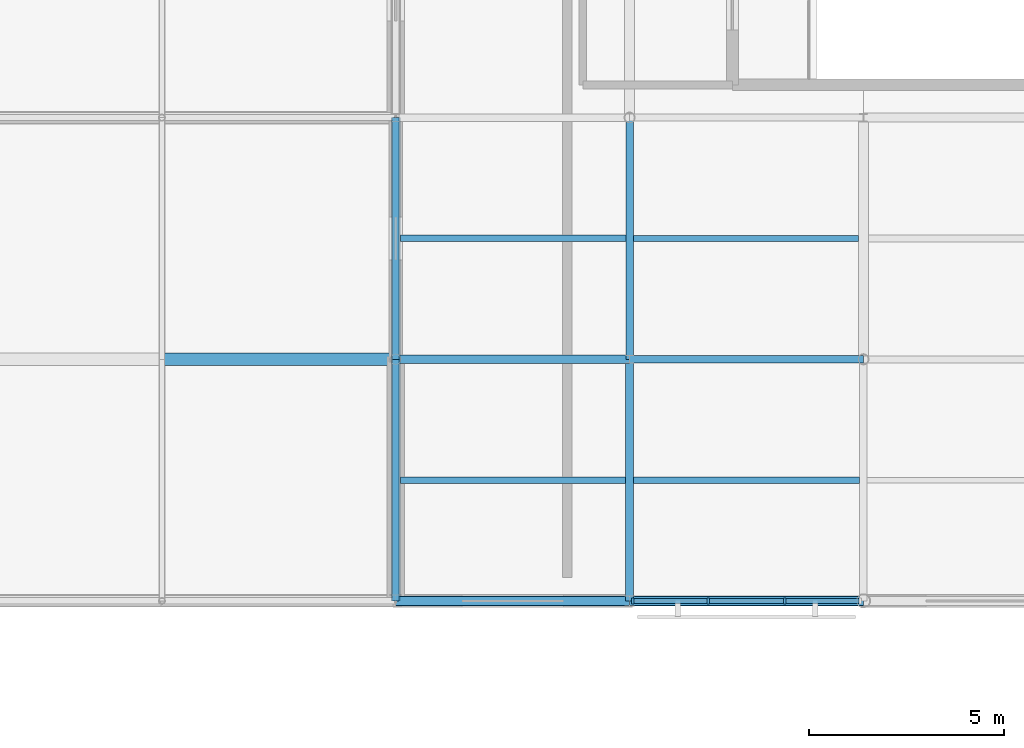
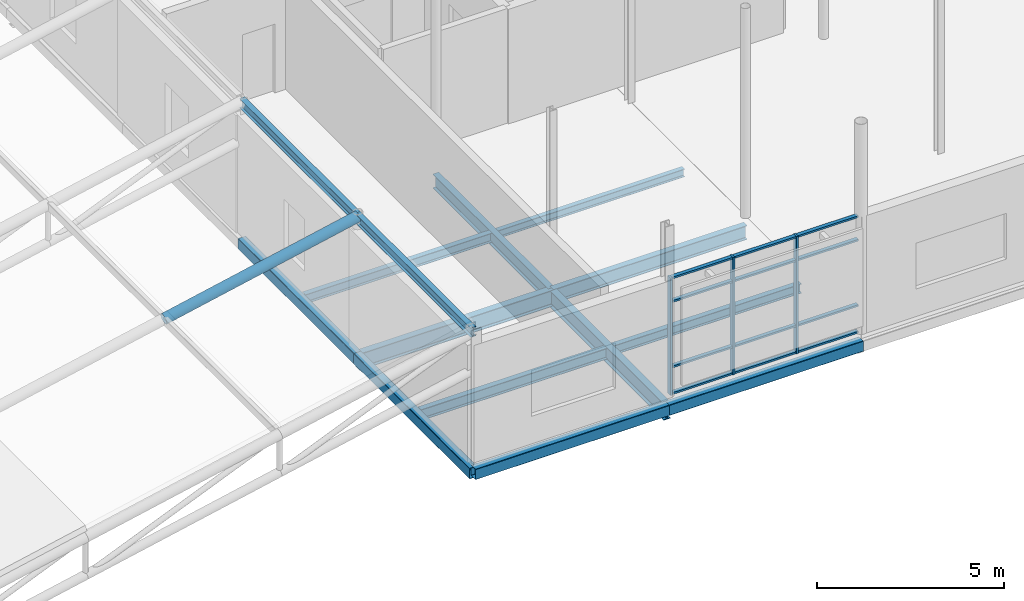
# One storey, part 18 of 66: 18 members, 12 beams, 1 element without a shape of its own.
"""IFC4 building model written with IfcOpenShell, lengths in metres."""

from ifc_helpers import new_model, si_unit, direction, frame, origin, origin_2d, place, context, subcontext, project, spatial, rectangle, hollow_rectangle, hollow_circle, i_section, extrude, material, layer, layer_set, material_profile, profile_set, type_object, element, aggregate, save


model = new_model("IFC4")

# Units and contexts
model_context = context("Model", 3, precision=1e-05, world=origin(), true_north=direction((0.0, 1.0)))
body_context = subcontext(model_context, "Body", "Model", "MODEL_VIEW")
ifc_project = project(units=[si_unit("LENGTHUNIT", "METRE"), si_unit("AREAUNIT", "SQUARE_METRE"), si_unit("VOLUMEUNIT", "CUBIC_METRE"), si_unit("PLANEANGLEUNIT", "RADIAN"), si_unit("MASSUNIT", "GRAM", prefix="KILO")], contexts=[model_context])

# Site, building, storey
site_placement = place(None, origin())
site = spatial("IfcSite", under=ifc_project, at=site_placement, CompositionType="ELEMENT")
building_placement = place(site_placement, origin())
building = spatial("IfcBuilding", under=site, at=building_placement, Name="Mirzam Square Science Centre", CompositionType="ELEMENT")
storey_placement = place(building_placement, frame((0.0, 0.0, 15.60009765625)))
storey = spatial("IfcBuildingStorey", under=building, at=storey_placement, Name="L03", CompositionType="ELEMENT", Elevation=15.60009765625)

# Beams
ifc_material_1 = material(Name="Steel S355", Category="steel")
ifc_material_profile_1 = material_profile(ifc_material_1, i_section(OverallWidth=0.19140625, OverallDepth=0.4599609375, WebThickness=0.010009765625, FlangeThickness=0.01611328125, FilletRadius=0.01025390625, at=origin_2d()), Name="457x191x82UB")
ifc_profile_set_1 = profile_set([ifc_material_profile_1], Name="Steel S355")
beam_type_1 = type_object("IfcBeamType", Name="BM-UB457", PredefinedType="BEAM", material=ifc_profile_set_1)
beam_1_placement = place(storey_placement, frame((42.0, 43.39990234375, -0.489990234375), z_axis=(1.0, 0.0, 0.0), x_axis=(0.0, 1.0, 0.0)))
element("IfcBeam", 1, at=beam_1_placement, inside=storey, type_object=beam_type_1, Name="L03 girder X8-8", PredefinedType="BEAM", context=body_context, shape_type="SweptSolid", body=[
    extrude(i_section(OverallWidth=0.19140625, OverallDepth=0.4599609375, WebThickness=0.010009765625, FlangeThickness=0.01611328125, FilletRadius=0.01025390625, at=origin_2d()), origin(), (0.0, 0.0, 1.0), 6.0),
])
beam_2_placement = place(storey_placement, frame((42.0, 43.39990234375, -0.489990234375), z_axis=(0.0, 1.0, 0.0), x_axis=(-1.0, 0.0, 0.0)))
element("IfcBeam", 2, at=beam_2_placement, inside=storey, type_object=beam_type_1, Name="L03 girder Y8-8", PredefinedType="BEAM", context=body_context, shape_type="SweptSolid", body=[
    extrude(i_section(OverallWidth=0.19140625, OverallDepth=0.4599609375, WebThickness=0.010009765625, FlangeThickness=0.01611328125, FilletRadius=0.01025390625, at=origin_2d()), origin(), (0.0, 0.0, 1.0), 6.2001953125),
])
ifc_material_profile_2 = material_profile(ifc_material_1, i_section(OverallWidth=0.2099609375, OverallDepth=0.53662109375, WebThickness=0.0107421875, FlangeThickness=0.017333984375, FilletRadius=0.0126953125, at=origin_2d()), Name="533x210x101UB")
ifc_profile_set_2 = profile_set([ifc_material_profile_2], Name="Steel S355")
beam_type_2 = type_object("IfcBeamType", Name="BM-UB533", PredefinedType="BEAM", material=ifc_profile_set_2)
beam_3_placement = place(storey_placement, frame((36.0, 43.39990234375, -0.528564453125), z_axis=(1.0, 0.0, 0.0), x_axis=(0.0, 1.0, 0.0)))
element("IfcBeam", 3, at=beam_3_placement, inside=storey, type_object=beam_type_2, Name="L03 girder X7-8", PredefinedType="BEAM", context=body_context, shape_type="SweptSolid", body=[
    extrude(i_section(OverallWidth=0.2099609375, OverallDepth=0.53662109375, WebThickness=0.0107421875, FlangeThickness=0.017333984375, FilletRadius=0.0126953125, at=origin_2d()), origin(), (0.0, 0.0, 1.0), 6.0),
])
beam_4_placement = place(storey_placement, frame((42.0, 37.199951171875, -0.528564453125), z_axis=(0.0, 1.0, 0.0), x_axis=(-1.0, 0.0, 0.0)))
element("IfcBeam", 4, at=beam_4_placement, inside=storey, type_object=beam_type_2, Name="L03 girder Y8-7", PredefinedType="BEAM", context=body_context, shape_type="SweptSolid", body=[
    extrude(i_section(OverallWidth=0.2099609375, OverallDepth=0.53662109375, WebThickness=0.0107421875, FlangeThickness=0.017333984375, FilletRadius=0.0126953125, at=origin_2d()), origin(), (0.0, 0.0, 1.0), 6.199951171875),
])

# Member
ifc_material_profile_3 = material_profile(ifc_material_1, hollow_circle(Radius=0.161865234375, WallThickness=0.012451171875, at=origin_2d()), Name="323.9x12.5CHS")
ifc_profile_set_3 = profile_set([ifc_material_profile_3], Name="Steel S355")
member_type_1 = type_object("IfcMemberType", Name="CH-CHS324", PredefinedType="CHORD", material=ifc_profile_set_3)
member_1_placement = place(storey_placement, frame((30.0, 43.39990234375, 2.92431640625), z_axis=(0.978653176229, 0.0, 0.205518759868), x_axis=(0.0, 1.0, 0.0)))
element("IfcMember", 5, at=member_1_placement, inside=storey, type_object=member_type_1, Name="Wedge truss top chord Y8 bay 6", PredefinedType="CHORD", context=body_context, shape_type="SweptSolid", body=[
    extrude(hollow_circle(Radius=0.161865234375, WallThickness=0.012451171875, at=origin_2d()), origin(), (0.0, 0.0, 1.0), 6.130859375),
])

# Curtain wall, members
ifc_material_2 = material(Name="Anodised Aluminium and Low-E Solar Glass", Category="aluminium")
ifc_layer = layer(ifc_material_2, 0.199951171875)
ifc_layer_set = layer_set([ifc_layer], Name="CW-PARK-B")
curtain_wall_type = type_object("IfcCurtainWallType", Name="CW-PARK-B", PredefinedType="USERDEFINED", material=ifc_layer_set)
curtain_wall_placement = place(storey_placement, origin())
curtain_wall = element("IfcCurtainWall", 6, at=curtain_wall_placement, inside=storey, type_object=curtain_wall_type, Name="L03 unitised curtain wall 34", ObjectType="UNITISED CURTAIN WALL", PredefinedType="USERDEFINED")
ifc_material_3 = material(Name="Anodised Architectural Aluminium 6063-T6", Category="aluminium")
ifc_material_profile_4 = material_profile(ifc_material_3, rectangle(XDim=0.06005859375, YDim=0.159912109375, at=origin_2d()), Name="ALU-MULL-160x60x4")
ifc_profile_set_4 = profile_set([ifc_material_profile_4], Name="Anodised Architectural Aluminium 6063-T6")
member_type_2 = type_object("IfcMemberType", Name="CWM-160", PredefinedType="MULLION", material=ifc_profile_set_4)
member_2_placement = place(storey_placement, frame((42.0849609375, 37.199951171875, 0.0), z_axis=(0.0, 0.0, 1.0), x_axis=(1.0, 0.0, 0.0)))
member_2 = element("IfcMember", 7, at=member_2_placement, type_object=member_type_2, Name="CW-02 mullion 1", PredefinedType="MULLION", context=body_context, shape_type="SweptSolid", body=[
    extrude(rectangle(XDim=0.06005859375, YDim=0.159912109375, at=origin_2d()), origin(), (0.0, 0.0, 1.0), 3.83984375),
])
member_3_placement = place(storey_placement, frame((44.018310546875, 37.199951171875, 0.0), z_axis=(0.0, 0.0, 1.0), x_axis=(1.0, 0.0, 0.0)))
member_3 = element("IfcMember", 8, at=member_3_placement, type_object=member_type_2, Name="CW-02 mullion 2", PredefinedType="MULLION", context=body_context, shape_type="SweptSolid", body=[
    extrude(rectangle(XDim=0.06005859375, YDim=0.159912109375, at=origin_2d()), origin(), (0.0, 0.0, 1.0), 3.83984375),
])
member_4_placement = place(storey_placement, frame((45.981689453125, 37.199951171875, 0.0), z_axis=(0.0, 0.0, 1.0), x_axis=(1.0, 0.0, 0.0)))
member_4 = element("IfcMember", 9, at=member_4_placement, type_object=member_type_2, Name="CW-02 mullion 3", PredefinedType="MULLION", context=body_context, shape_type="SweptSolid", body=[
    extrude(rectangle(XDim=0.06005859375, YDim=0.159912109375, at=origin_2d()), origin(), (0.0, 0.0, 1.0), 3.83984375),
])
ifc_material_profile_5 = material_profile(ifc_material_3, rectangle(XDim=0.1201171875, YDim=0.06005859375, at=origin_2d()), Name="ALU-TRAN-120x60x4")
ifc_profile_set_5 = profile_set([ifc_material_profile_5], Name="Anodised Architectural Aluminium 6063-T6")
member_type_3 = type_object("IfcMemberType", Name="CWT-120", PredefinedType="USERDEFINED", material=ifc_profile_set_5)
member_5_placement = place(storey_placement, frame((42.114990234375, 37.199951171875, 0.02978515625), z_axis=(1.0, 0.0, 0.0), x_axis=(0.0, 1.0, 0.0)))
member_5 = element("IfcMember", 10, at=member_5_placement, type_object=member_type_3, Name="CW-02 transom 1.1", ObjectType="TRANSOM", PredefinedType="USERDEFINED", context=body_context, shape_type="SweptSolid", body=[
    extrude(rectangle(XDim=0.1201171875, YDim=0.06005859375, at=origin_2d()), origin(), (0.0, 0.0, 1.0), 1.873291015625),
])
member_6_placement = place(storey_placement, frame((42.114990234375, 37.199951171875, 0.89990234375), z_axis=(1.0, 0.0, 0.0), x_axis=(0.0, 1.0, 0.0)))
member_6 = element("IfcMember", 11, at=member_6_placement, type_object=member_type_3, Name="CW-02 transom 1.2", ObjectType="TRANSOM", PredefinedType="USERDEFINED", context=body_context, shape_type="SweptSolid", body=[
    extrude(rectangle(XDim=0.1201171875, YDim=0.06005859375, at=origin_2d()), origin(), (0.0, 0.0, 1.0), 1.873291015625),
])
member_7_placement = place(storey_placement, frame((42.114990234375, 37.199951171875, 3.039794921875), z_axis=(1.0, 0.0, 0.0), x_axis=(0.0, 1.0, 0.0)))
member_7 = element("IfcMember", 12, at=member_7_placement, type_object=member_type_3, Name="CW-02 transom 1.3", ObjectType="TRANSOM", PredefinedType="USERDEFINED", context=body_context, shape_type="SweptSolid", body=[
    extrude(rectangle(XDim=0.1201171875, YDim=0.06005859375, at=origin_2d()), origin(), (0.0, 0.0, 1.0), 1.873291015625),
])
member_8_placement = place(storey_placement, frame((42.114990234375, 37.199951171875, 3.809814453125), z_axis=(1.0, 0.0, 0.0), x_axis=(0.0, 1.0, 0.0)))
member_8 = element("IfcMember", 13, at=member_8_placement, type_object=member_type_3, Name="CW-02 transom 1.4", ObjectType="TRANSOM", PredefinedType="USERDEFINED", context=body_context, shape_type="SweptSolid", body=[
    extrude(rectangle(XDim=0.1201171875, YDim=0.06005859375, at=origin_2d()), origin(), (0.0, 0.0, 1.0), 1.873291015625),
])
member_9_placement = place(storey_placement, frame((44.04833984375, 37.199951171875, 0.02978515625), z_axis=(1.0, 0.0, 0.0), x_axis=(0.0, 1.0, 0.0)))
member_9 = element("IfcMember", 14, at=member_9_placement, type_object=member_type_3, Name="CW-02 transom 2.1", ObjectType="TRANSOM", PredefinedType="USERDEFINED", context=body_context, shape_type="SweptSolid", body=[
    extrude(rectangle(XDim=0.1201171875, YDim=0.06005859375, at=origin_2d()), origin(), (0.0, 0.0, 1.0), 1.9033203125),
])
member_10_placement = place(storey_placement, frame((44.04833984375, 37.199951171875, 0.89990234375), z_axis=(1.0, 0.0, 0.0), x_axis=(0.0, 1.0, 0.0)))
member_10 = element("IfcMember", 15, at=member_10_placement, type_object=member_type_3, Name="CW-02 transom 2.2", ObjectType="TRANSOM", PredefinedType="USERDEFINED", context=body_context, shape_type="SweptSolid", body=[
    extrude(rectangle(XDim=0.1201171875, YDim=0.06005859375, at=origin_2d()), origin(), (0.0, 0.0, 1.0), 1.9033203125),
])
member_11_placement = place(storey_placement, frame((44.04833984375, 37.199951171875, 3.039794921875), z_axis=(1.0, 0.0, 0.0), x_axis=(0.0, 1.0, 0.0)))
member_11 = element("IfcMember", 16, at=member_11_placement, type_object=member_type_3, Name="CW-02 transom 2.3", ObjectType="TRANSOM", PredefinedType="USERDEFINED", context=body_context, shape_type="SweptSolid", body=[
    extrude(rectangle(XDim=0.1201171875, YDim=0.06005859375, at=origin_2d()), origin(), (0.0, 0.0, 1.0), 1.9033203125),
])
member_12_placement = place(storey_placement, frame((44.04833984375, 37.199951171875, 3.809814453125), z_axis=(1.0, 0.0, 0.0), x_axis=(0.0, 1.0, 0.0)))
member_12 = element("IfcMember", 17, at=member_12_placement, type_object=member_type_3, Name="CW-02 transom 2.4", ObjectType="TRANSOM", PredefinedType="USERDEFINED", context=body_context, shape_type="SweptSolid", body=[
    extrude(rectangle(XDim=0.1201171875, YDim=0.06005859375, at=origin_2d()), origin(), (0.0, 0.0, 1.0), 1.9033203125),
])
member_13_placement = place(storey_placement, frame((46.01171875, 37.199951171875, 0.02978515625), z_axis=(1.0, 0.0, 0.0), x_axis=(0.0, 1.0, 0.0)))
member_13 = element("IfcMember", 18, at=member_13_placement, type_object=member_type_3, Name="CW-02 transom 3.1", ObjectType="TRANSOM", PredefinedType="USERDEFINED", context=body_context, shape_type="SweptSolid", body=[
    extrude(rectangle(XDim=0.1201171875, YDim=0.06005859375, at=origin_2d()), origin(), (0.0, 0.0, 1.0), 1.873291015625),
])
member_14_placement = place(storey_placement, frame((46.01171875, 37.199951171875, 0.89990234375), z_axis=(1.0, 0.0, 0.0), x_axis=(0.0, 1.0, 0.0)))
member_14 = element("IfcMember", 19, at=member_14_placement, type_object=member_type_3, Name="CW-02 transom 3.2", ObjectType="TRANSOM", PredefinedType="USERDEFINED", context=body_context, shape_type="SweptSolid", body=[
    extrude(rectangle(XDim=0.1201171875, YDim=0.06005859375, at=origin_2d()), origin(), (0.0, 0.0, 1.0), 1.873291015625),
])
member_15_placement = place(storey_placement, frame((46.01171875, 37.199951171875, 3.039794921875), z_axis=(1.0, 0.0, 0.0), x_axis=(0.0, 1.0, 0.0)))
member_15 = element("IfcMember", 20, at=member_15_placement, type_object=member_type_3, Name="CW-02 transom 3.3", ObjectType="TRANSOM", PredefinedType="USERDEFINED", context=body_context, shape_type="SweptSolid", body=[
    extrude(rectangle(XDim=0.1201171875, YDim=0.06005859375, at=origin_2d()), origin(), (0.0, 0.0, 1.0), 1.873291015625),
])
member_16_placement = place(storey_placement, frame((46.01171875, 37.199951171875, 3.809814453125), z_axis=(1.0, 0.0, 0.0), x_axis=(0.0, 1.0, 0.0)))
member_16 = element("IfcMember", 21, at=member_16_placement, type_object=member_type_3, Name="CW-02 transom 3.4", ObjectType="TRANSOM", PredefinedType="USERDEFINED", context=body_context, shape_type="SweptSolid", body=[
    extrude(rectangle(XDim=0.1201171875, YDim=0.06005859375, at=origin_2d()), origin(), (0.0, 0.0, 1.0), 1.873291015625),
])
aggregate(curtain_wall, [member_2, member_3, member_4, member_5, member_6, member_7, member_8, member_9, member_10, member_11, member_12, member_13, member_14, member_15, member_16])

# Beams
ifc_material_profile_6 = material_profile(ifc_material_1, i_section(OverallWidth=0.146484375, OverallDepth=0.256103515625, WebThickness=0.00634765625, FlangeThickness=0.010986328125, FilletRadius=0.007568359375, at=origin_2d()), Name="254x146x37UB")
ifc_profile_set_6 = profile_set([ifc_material_profile_6], Name="Steel S355")
beam_type_3 = type_object("IfcBeamType", Name="JS-UB254", PredefinedType="JOIST", material=ifc_profile_set_6)
beam_5_placement = place(storey_placement, frame((42.095703125, 46.5, -0.38818359375), z_axis=(1.0, 0.0, 0.0), x_axis=(0.0, 1.0, 0.0)))
element("IfcBeam", 22, at=beam_5_placement, inside=storey, type_object=beam_type_3, Name="L03 composite joist 8-8", PredefinedType="JOIST", context=body_context, shape_type="SweptSolid", body=[
    extrude(i_section(OverallWidth=0.146484375, OverallDepth=0.256103515625, WebThickness=0.00634765625, FlangeThickness=0.010986328125, FilletRadius=0.007568359375, at=origin_2d()), origin(), (0.0, 0.0, 1.0), 5.777099609375),
])
ifc_material_profile_7 = material_profile(ifc_material_1, i_section(OverallWidth=0.165771484375, OverallDepth=0.306640625, WebThickness=0.006591796875, FlangeThickness=0.01171875, FilletRadius=0.0087890625, at=origin_2d()), Name="305x165x46UB")
ifc_profile_set_7 = profile_set([ifc_material_profile_7], Name="Steel S355")
beam_type_4 = type_object("IfcBeamType", Name="JS-UB305", PredefinedType="JOIST", material=ifc_profile_set_7)
beam_6_placement = place(storey_placement, frame((36.125, 46.5, -0.413330078125), z_axis=(1.0, 0.0, 0.0), x_axis=(0.0, 1.0, 0.0)))
element("IfcBeam", 23, at=beam_6_placement, inside=storey, type_object=beam_type_4, Name="L03 composite joist 7-8", PredefinedType="JOIST", context=body_context, shape_type="SweptSolid", body=[
    extrude(i_section(OverallWidth=0.165771484375, OverallDepth=0.306640625, WebThickness=0.006591796875, FlangeThickness=0.01171875, FilletRadius=0.0087890625, at=origin_2d()), origin(), (0.0, 0.0, 1.0), 5.779296875),
])
beam_7_placement = place(storey_placement, frame((42.10498046875, 40.300048828125, -0.413330078125), z_axis=(1.0, 0.0, 0.0), x_axis=(0.0, 1.0, 0.0)))
element("IfcBeam", 24, at=beam_7_placement, inside=storey, type_object=beam_type_4, Name="L03 composite joist 8-7", PredefinedType="JOIST", context=body_context, shape_type="SweptSolid", body=[
    extrude(i_section(OverallWidth=0.165771484375, OverallDepth=0.306640625, WebThickness=0.006591796875, FlangeThickness=0.01171875, FilletRadius=0.0087890625, at=origin_2d()), origin(), (0.0, 0.0, 1.0), 5.79931640625),
])
ifc_material_profile_8 = material_profile(ifc_material_1, i_section(OverallWidth=0.172119140625, OverallDepth=0.35791015625, WebThickness=0.008056640625, FlangeThickness=0.012939453125, FilletRadius=0.01025390625, at=origin_2d()), Name="356x171x57UB")
ifc_profile_set_8 = profile_set([ifc_material_profile_8], Name="Steel S355")
beam_type_5 = type_object("IfcBeamType", Name="JS-UB356", PredefinedType="JOIST", material=ifc_profile_set_8)
beam_8_placement = place(storey_placement, frame((36.125, 40.300048828125, -0.439208984375), z_axis=(1.0, 0.0, 0.0), x_axis=(0.0, 1.0, 0.0)))
element("IfcBeam", 25, at=beam_8_placement, inside=storey, type_object=beam_type_5, Name="L03 composite joist 7-7", PredefinedType="JOIST", context=body_context, shape_type="SweptSolid", body=[
    extrude(i_section(OverallWidth=0.172119140625, OverallDepth=0.35791015625, WebThickness=0.008056640625, FlangeThickness=0.012939453125, FilletRadius=0.01025390625, at=origin_2d()), origin(), (0.0, 0.0, 1.0), 5.77001953125),
])

# Members
ifc_material_profile_9 = material_profile(ifc_material_1, i_section(OverallWidth=0.165771484375, OverallDepth=0.306640625, WebThickness=0.006591796875, FlangeThickness=0.01171875, FilletRadius=0.0087890625, at=origin_2d()), Name="305x165x46UB")
ifc_profile_set_9 = profile_set([ifc_material_profile_9], Name="Steel S355")
member_type_4 = type_object("IfcMemberType", Name="RF-UB305", PredefinedType="RAFTER", material=ifc_profile_set_9)
member_17_placement = place(storey_placement, frame((36.0, 37.199951171875, 4.158203125), z_axis=(0.0, 1.0, 0.0), x_axis=(-1.0, 0.0, 0.0)))
element("IfcMember", 26, at=member_17_placement, inside=storey, type_object=member_type_4, Name="Wedge roof rafter X7-7", PredefinedType="RAFTER", context=body_context, shape_type="SweptSolid", body=[
    extrude(i_section(OverallWidth=0.165771484375, OverallDepth=0.306640625, WebThickness=0.006591796875, FlangeThickness=0.01171875, FilletRadius=0.0087890625, at=origin_2d()), origin(), (0.0, 0.0, 1.0), 6.199951171875),
])
member_18_placement = place(storey_placement, frame((36.0, 43.39990234375, 4.158203125), z_axis=(0.0, 1.0, 0.0), x_axis=(-1.0, 0.0, 0.0)))
element("IfcMember", 27, at=member_18_placement, inside=storey, type_object=member_type_4, Name="Wedge roof rafter X7-8", PredefinedType="RAFTER", context=body_context, shape_type="SweptSolid", body=[
    extrude(i_section(OverallWidth=0.165771484375, OverallDepth=0.306640625, WebThickness=0.006591796875, FlangeThickness=0.01171875, FilletRadius=0.0087890625, at=origin_2d()), origin(), (0.0, 0.0, 1.0), 6.2001953125),
])

# Beams
ifc_material_profile_10 = material_profile(ifc_material_1, hollow_rectangle(XDim=0.25, YDim=0.35009765625, WallThickness=0.012451171875, InnerFilletRadius=0.012451171875, OuterFilletRadius=0.02490234375, at=origin_2d()), Name="350x250x12.5RHS")
ifc_profile_set_10 = profile_set([ifc_material_profile_10], Name="Steel S355")
beam_type_6 = type_object("IfcBeamType", Name="SP-RHS350", PredefinedType="SPANDREL", material=ifc_profile_set_10)
for number, where, z_axis, x_axis, name in (
    (28, (36.0, 37.199951171875, -0.43505859375), (1.0, 0.0, 0.0), (0.0, 1.0, 0.0), "L03 girder X7-7"),
    (29, (42.0, 37.199951171875, -0.43505859375), (1.0, 0.0, 0.0), (0.0, 1.0, 0.0), "L03 girder X8-7"),
):
    element("IfcBeam", number, at=place(storey_placement, frame(where, z_axis=z_axis, x_axis=x_axis)), inside=storey, type_object=beam_type_6, Name=name, PredefinedType="SPANDREL", context=body_context, shape_type="SweptSolid", body=[
        extrude(hollow_rectangle(XDim=0.25, YDim=0.35009765625, WallThickness=0.012451171875, InnerFilletRadius=0.012451171875, OuterFilletRadius=0.02490234375, at=origin_2d()), origin(), (0.0, 0.0, 1.0), 6.0),
    ])
beam_9_placement = place(storey_placement, frame((36.0, 37.199951171875, -0.43505859375), z_axis=(0.0, 1.0, 0.0), x_axis=(-1.0, 0.0, 0.0)))
element("IfcBeam", 30, at=beam_9_placement, inside=storey, type_object=beam_type_6, Name="L03 girder Y7-7", PredefinedType="SPANDREL", context=body_context, shape_type="SweptSolid", body=[
    extrude(hollow_rectangle(XDim=0.25, YDim=0.35009765625, WallThickness=0.012451171875, InnerFilletRadius=0.012451171875, OuterFilletRadius=0.02490234375, at=origin_2d()), origin(), (0.0, 0.0, 1.0), 6.199951171875),
])
beam_10_placement = place(storey_placement, frame((36.0, 43.39990234375, -0.43505859375), z_axis=(0.0, 1.0, 0.0), x_axis=(-1.0, 0.0, 0.0)))
element("IfcBeam", 31, at=beam_10_placement, inside=storey, type_object=beam_type_6, Name="L03 girder Y7-8", PredefinedType="SPANDREL", context=body_context, shape_type="SweptSolid", body=[
    extrude(hollow_rectangle(XDim=0.25, YDim=0.35009765625, WallThickness=0.012451171875, InnerFilletRadius=0.012451171875, OuterFilletRadius=0.02490234375, at=origin_2d()), origin(), (0.0, 0.0, 1.0), 6.2001953125),
])

save(model, "model.ifc")
